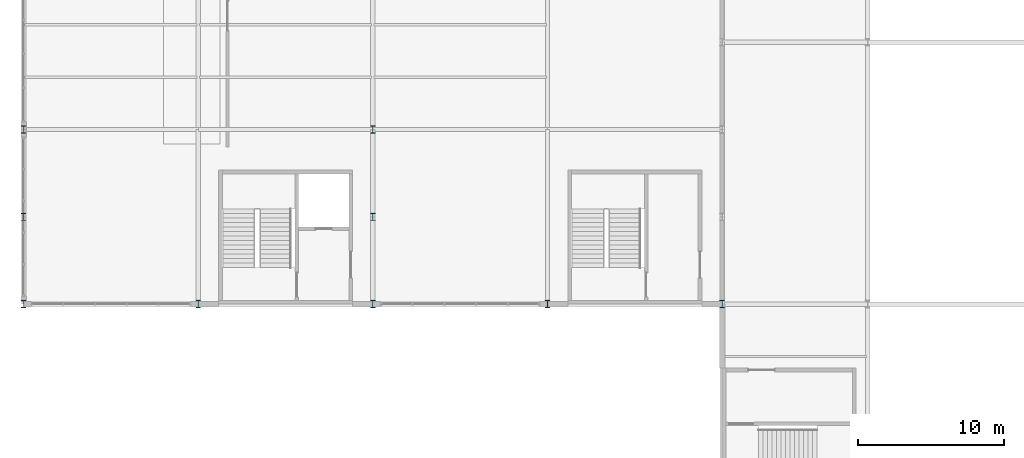
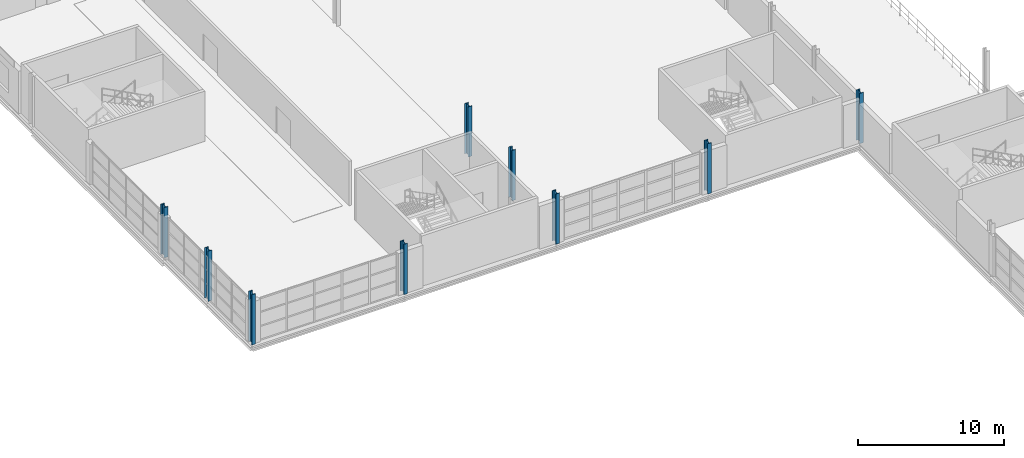
# One storey, part 2 of 158: 9 columns.
"""IFC4 building model written with IfcOpenShell, lengths in metres."""

from ifc_helpers import new_model, si_unit, direction, frame, origin, origin_2d, place, context, subcontext, project, spatial, i_section, extrude, material, material_profile, profile_set, type_object, element, save


model = new_model("IFC4")

# Units and contexts
model_context = context("Model", 3, precision=1e-05, world=origin(), true_north=direction((0.0, 1.0)))
body_context = subcontext(model_context, "Body", "Model", "MODEL_VIEW")
ifc_project = project(units=[si_unit("LENGTHUNIT", "METRE"), si_unit("AREAUNIT", "SQUARE_METRE"), si_unit("VOLUMEUNIT", "CUBIC_METRE"), si_unit("PLANEANGLEUNIT", "RADIAN"), si_unit("MASSUNIT", "GRAM", prefix="KILO")], contexts=[model_context])

# Site, building, storey
site_placement = place(None, origin())
site = spatial("IfcSite", under=ifc_project, at=site_placement, CompositionType="ELEMENT")
building_placement = place(site_placement, origin())
building = spatial("IfcBuilding", under=site, at=building_placement, Name="Zilviju Railside Exhibition Hall", CompositionType="ELEMENT")
storey_placement = place(building_placement, frame((0.0, 0.0, 4.199951171875)))
storey = spatial("IfcBuildingStorey", under=building, at=storey_placement, Name="L02", CompositionType="ELEMENT", Elevation=4.199951171875)

# Columns
ifc_material = material(Name="Steel S355J2", Category="steel")
ifc_material_profile = material_profile(ifc_material, i_section(OverallWidth=0.300048828125, OverallDepth=0.5, WebThickness=0.014404296875, FlangeThickness=0.028076171875, at=origin_2d()), Name="HEB 500")
ifc_profile_set = profile_set([ifc_material_profile], Name="Steel S355J2")
column_type = type_object("IfcColumnType", Name="COL-ST-HEB500", PredefinedType="COLUMN", material=ifc_profile_set)
for number, where, z_axis, x_axis, name in (
    (1, (0.0, 36.0, 0.0), (0.0, 0.0, 1.0), (1.0, 0.0, 0.0), "Structural Column L02 (0.0, 36.0)"),
    (2, (12.0, 36.0, 0.0), (0.0, 0.0, 1.0), (1.0, 0.0, 0.0), "Structural Column L02 (12.0, 36.0)"),
    (3, (24.0, 36.0, 0.0), (0.0, 0.0, 1.0), (1.0, 0.0, 0.0), "Structural Column L02 (24.0, 36.0)"),
    (4, (36.0, 36.0, 0.0), (0.0, 0.0, 1.0), (1.0, 0.0, 0.0), "Structural Column L02 (36.0, 36.0)"),
    (5, (48.0, 36.0, 0.0), (0.0, 0.0, 1.0), (1.0, 0.0, 0.0), "Structural Column L02 (48.0, 36.0)"),
    (6, (0.0, 42.0, 0.0), (0.0, 0.0, 1.0), (1.0, 0.0, 0.0), "Structural Column L02 (0.0, 42.0)"),
    (7, (24.0, 42.0, 0.0), (0.0, 0.0, 1.0), (1.0, 0.0, 0.0), "Structural Column L02 (24.0, 42.0)"),
    (8, (0.0, 48.0, 0.0), (0.0, 0.0, 1.0), (1.0, 0.0, 0.0), "Structural Column L02 (0.0, 48.0)"),
    (9, (24.0, 48.0, 0.0), (0.0, 0.0, 1.0), (1.0, 0.0, 0.0), "Structural Column L02 (24.0, 48.0)"),
):
    element("IfcColumn", number, at=place(storey_placement, frame(where, z_axis=z_axis, x_axis=x_axis)), inside=storey, type_object=column_type, Name=name, PredefinedType="COLUMN", context=body_context, shape_type="SweptSolid", body=[
        extrude(i_section(OverallWidth=0.300048828125, OverallDepth=0.5, WebThickness=0.014404296875, FlangeThickness=0.028076171875, at=origin_2d()), origin(), (0.0, 0.0, 1.0), 4.199951171875),
    ])

save(model, "model.ifc")
